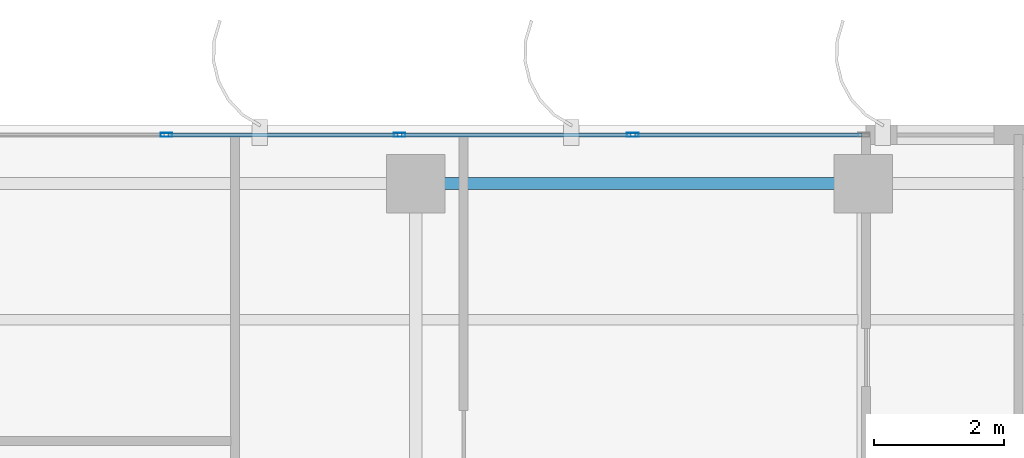
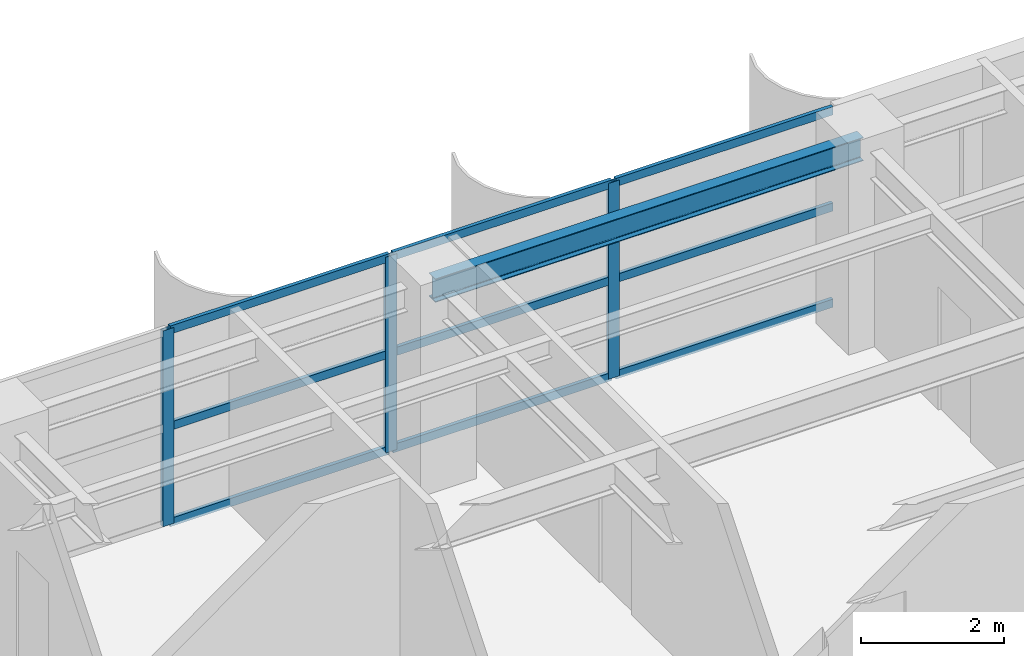
# One storey, part 16 of 25: 12 members, 1 beam, 1 element without a shape of its own.
"""IFC4 building model written with IfcOpenShell, lengths in metres."""

import ifcopenshell
import ifcopenshell.guid

model = None  # the IFC model being written
_history = None  # IfcOwnerHistory: only IFC2X3 demands one
_inside = {}  # id of a spatial element -> (the spatial element, [elements in it])
_under = {}  # id of a project, library or spatial element -> (it, [spatial elements below it])
_declared = {}  # id of a project -> (the project, [libraries it declares])
_typed = {}  # id of a type object -> (the type object, [elements of that type])
_made_of = {}  # id of a material, layer set ... -> (it, [elements and type objects made of it])


def new_model(schema):
    """Start an empty IFC model of exactly this schema.

    Asked for "IFC4X3", IfcOpenShell would pick the latest addendum, in which some entities
    have other attributes; the version numbers below select the first issue.
    IFC2X3 requires an IfcOwnerHistory on every rooted entity: one is made here for all.
    """
    global model, _history
    if schema == "IFC4X3":
        model = ifcopenshell.file(schema_version=(4, 3, 0, 0))
    else:
        model = ifcopenshell.file(schema=schema)
    _inside.clear()
    _under.clear()
    _declared.clear()
    _typed.clear()
    _made_of.clear()
    _history = None
    if model.schema == "IFC2X3":
        org = make("IfcOrganization", Name="unknown")
        user = make(
            "IfcPersonAndOrganization",
            ThePerson=make("IfcPerson", FamilyName="unknown"),
            TheOrganization=org,
        )
        app = make(
            "IfcApplication",
            ApplicationDeveloper=org,
            Version="unknown",
            ApplicationFullName="unknown",
            ApplicationIdentifier="unknown",
        )
        _history = make(
            "IfcOwnerHistory",
            OwningUser=user,
            OwningApplication=app,
            ChangeAction="ADDED",
            CreationDate=0,
        )
    return model


def make(cls, **values):
    """One entity of the class cls with the attributes given. An attribute that is None is left unset."""
    return model.create_entity(
        cls, **{name: value for name, value in values.items() if value is not None}
    )


def rooted(cls, **values):
    """An entity with a GlobalId (a new one), such as an element, a storey or a relation."""
    return make(cls, GlobalId=ifcopenshell.guid.new(), OwnerHistory=_history, **values)


def si_unit(unit_type, name, prefix=None):
    """IfcSIUnit, for example si_unit("LENGTHUNIT", "METRE", prefix="MILLI")."""
    return make("IfcSIUnit", UnitType=unit_type, Prefix=prefix, Name=name)


def assignment(units):
    """IfcUnitAssignment: the units of a project."""
    return None if units is None else make("IfcUnitAssignment", Units=units)


def point(xyz):
    """IfcCartesianPoint."""
    return None if xyz is None else make("IfcCartesianPoint", Coordinates=xyz)


def direction(xyz):
    """IfcDirection."""
    return None if xyz is None else make("IfcDirection", DirectionRatios=xyz)


def frame(location, z_axis=None, x_axis=None):
    """IfcAxis2Placement3D, a coordinate frame: its origin and axes. An axis left out is left unset."""
    return make(
        "IfcAxis2Placement3D",
        Location=point(location),
        Axis=direction(z_axis),
        RefDirection=direction(x_axis),
    )


def frame_2d(location, x_axis=None):
    """IfcAxis2Placement2D, a coordinate frame in the plane: its origin and x axis."""
    return make(
        "IfcAxis2Placement2D", Location=point(location), RefDirection=direction(x_axis)
    )


def origin():
    """The frame at (0, 0, 0) with its axes left unset."""
    return frame((0.0, 0.0, 0.0))


def origin_2d():
    """The frame at (0, 0) in the plane with its x axis left unset."""
    return frame_2d((0.0, 0.0))


def place(relative_to, where):
    """IfcLocalPlacement: puts the frame where relative to a parent placement (None: the world)."""
    return make(
        "IfcLocalPlacement", PlacementRelTo=relative_to, RelativePlacement=where
    )


def context(
    kind, dimensions, precision=None, world=None, true_north=None, identifier=None
):
    """IfcGeometricRepresentationContext, for example the 3D "Model" context."""
    return make(
        "IfcGeometricRepresentationContext",
        ContextIdentifier=identifier,
        ContextType=kind,
        CoordinateSpaceDimension=dimensions,
        Precision=precision,
        WorldCoordinateSystem=world,
        TrueNorth=true_north,
    )


def subcontext(parent, identifier, kind, view, scale=None):
    """IfcGeometricRepresentationSubContext, for example "Body" below "Model"."""
    return make(
        "IfcGeometricRepresentationSubContext",
        ContextIdentifier=identifier,
        ContextType=kind,
        ParentContext=parent,
        TargetScale=scale,
        TargetView=view,
    )


def project(units=None, contexts=None):
    """IfcProject with its units and contexts."""
    return rooted(
        "IfcProject",
        Name="project",
        RepresentationContexts=contexts,
        UnitsInContext=assignment(units),
    )


def spatial(cls, under=None, at=None, **own):
    """A site, building, storey or space (cls), placed at a placement, below another one or the project."""
    s = rooted(cls, ObjectPlacement=at, **own)
    if under is not None:
        _under.setdefault(under.id(), (under, []))[1].append(s)
    return s


def profile(cls, at=None, kind="AREA", **sizes):
    """A parametric profile (cls). Its sizes go by their IFC names, for example OverallWidth=200.0."""
    return make(cls, ProfileType=kind, Position=at, **sizes)


def hollow_rectangle(**sizes):
    """IfcRectangleHollowProfileDef."""
    return profile("IfcRectangleHollowProfileDef", **sizes)


def i_section(**sizes):
    """IfcIShapeProfileDef."""
    return profile("IfcIShapeProfileDef", **sizes)


def extrude(swept, where, along, depth):
    """IfcExtrudedAreaSolid: the profile swept, set in the frame where, extruded along a direction by depth."""
    return make(
        "IfcExtrudedAreaSolid",
        SweptArea=swept,
        Position=where,
        ExtrudedDirection=direction(along),
        Depth=depth,
    )


def shape(context_of_items, identifier, shape_type, items):
    """IfcShapeRepresentation: the items that make up one representation, for example the "Body"."""
    return make(
        "IfcShapeRepresentation",
        ContextOfItems=context_of_items,
        RepresentationIdentifier=identifier,
        RepresentationType=shape_type,
        Items=items,
    )


def source(mapping_origin, context_of_items, identifier, shape_type, items):
    """IfcRepresentationMap: a shape defined once, which mapped items show again and again."""
    return make(
        "IfcRepresentationMap",
        MappingOrigin=mapping_origin,
        MappedRepresentation=shape(context_of_items, identifier, shape_type, items),
    )


def transform(
    local_origin,
    x_axis=None,
    y_axis=None,
    z_axis=None,
    scale=None,
    scale2=None,
    scale3=None,
    uniform=True,
):
    """IfcCartesianTransformationOperator3D, or its non-uniform kind. x_axis, y_axis, z_axis: its Axis1, 2, 3."""
    if uniform:
        return make(
            "IfcCartesianTransformationOperator3D",
            Axis1=direction(x_axis),
            Axis2=direction(y_axis),
            LocalOrigin=point(local_origin),
            Scale=scale,
            Axis3=direction(z_axis),
        )
    return make(
        "IfcCartesianTransformationOperator3DnonUniform",
        Axis1=direction(x_axis),
        Axis2=direction(y_axis),
        LocalOrigin=point(local_origin),
        Scale=scale,
        Axis3=direction(z_axis),
        Scale2=scale2,
        Scale3=scale3,
    )


def mapped(mapping_source, mapping_target):
    """IfcMappedItem: shows the shape of a source again, moved by a transform."""
    return make(
        "IfcMappedItem", MappingSource=mapping_source, MappingTarget=mapping_target
    )


def material(Name=None, Category=None):
    """IfcMaterial."""
    return make("IfcMaterial", Name=Name, Category=Category)


def layer(
    of_material, thickness, ventilated=None, Name=None, Category=None, Priority=None
):
    """IfcMaterialLayer: one layer of a wall or slab, of a material (None: an air gap)."""
    return make(
        "IfcMaterialLayer",
        Material=of_material,
        LayerThickness=thickness,
        IsVentilated=ventilated,
        Name=Name,
        Category=Category,
        Priority=Priority,
    )


def layer_set(layers, Name=None):
    """IfcMaterialLayerSet."""
    return make("IfcMaterialLayerSet", MaterialLayers=layers, LayerSetName=Name)


def material_profile(
    of_material, cross_section, Name=None, Category=None, Priority=None
):
    """IfcMaterialProfile: a cross section and its material."""
    return make(
        "IfcMaterialProfile",
        Name=Name,
        Material=of_material,
        Profile=cross_section,
        Priority=Priority,
        Category=Category,
    )


def profile_set(profiles, Name=None, composite=None):
    """IfcMaterialProfileSet."""
    return make(
        "IfcMaterialProfileSet",
        Name=Name,
        MaterialProfiles=profiles,
        CompositeProfile=composite,
    )


def made_of(thing, what):
    """Note that an element or type object is made of a material, layer set ...; save() writes the relation."""
    if what is not None:
        _made_of.setdefault(what.id(), (what, []))[1].append(thing)
    return thing


def type_object(cls, material=None, **own):
    """A type object (cls), such as IfcWallType, which elements share."""
    return made_of(rooted(cls, **own), material)


def element(
    cls,
    number,
    at=None,
    inside=None,
    cuts=None,
    type_object=None,
    material=None,
    context=None,
    identifier="Body",
    shape_type=None,
    held_by="IfcProductDefinitionShape",
    body=None,
    shapes=None,
    **own,
):
    """One element of the class cls, such as IfcWall. Its Tag is "e" and its number.

    at: its placement. inside: the storey or other place that contains it. cuts: it is an
    opening in that element (IfcRelVoidsElement). A single representation is given by context,
    identifier, shape_type and body (its items); several are given by shapes. held_by: the class
    of the entity that holds the representations. save() writes the other relations.
    """
    e = rooted(cls, Tag="e%d" % number, ObjectPlacement=at, **own)
    if body is not None:
        shapes = [shape(context, identifier, shape_type, body)]
    if shapes is not None:
        e.Representation = make(held_by, Representations=shapes)
    if inside is not None:
        _inside.setdefault(inside.id(), (inside, []))[1].append(e)
    if cuts is not None:
        rooted(
            "IfcRelVoidsElement", RelatingBuildingElement=cuts, RelatedOpeningElement=e
        )
    if type_object is not None:
        _typed.setdefault(type_object.id(), (type_object, []))[1].append(e)
    return made_of(e, material)


def aggregate(whole, parts):
    """IfcRelAggregates: a whole, such as a stair, and the parts it consists of."""
    return rooted("IfcRelAggregates", RelatingObject=whole, RelatedObjects=parts)


def save(model, path):
    """Write the relations noted so far, then the file.

    IfcRelAggregates (storeys below a building ...), IfcRelContainedInSpatialStructure (elements
    in a storey), IfcRelDefinesByType, IfcRelAssociatesMaterial and IfcRelDeclares: one each for
    every whole, place, type object, material and project.
    """
    for whole, parts in _under.values():
        aggregate(whole, parts)
    for where, things in _inside.values():
        rooted(
            "IfcRelContainedInSpatialStructure",
            RelatedElements=things,
            RelatingStructure=where,
        )
    for kind, things in _typed.values():
        rooted("IfcRelDefinesByType", RelatedObjects=things, RelatingType=kind)
    for what, things in _made_of.values():
        rooted("IfcRelAssociatesMaterial", RelatedObjects=things, RelatingMaterial=what)
    for by, libraries in _declared.values():
        rooted("IfcRelDeclares", RelatingContext=by, RelatedDefinitions=libraries)
    model.write(path)


model = new_model("IFC4")

# Units and contexts
model_context = context("Model", 3, precision=1e-05, world=origin(), true_north=direction((0.0, 1.0)))
body_context = subcontext(model_context, "Body", "Model", "MODEL_VIEW")
ifc_project = project(units=[si_unit("LENGTHUNIT", "METRE"), si_unit("AREAUNIT", "SQUARE_METRE"), si_unit("VOLUMEUNIT", "CUBIC_METRE"), si_unit("PLANEANGLEUNIT", "RADIAN"), si_unit("MASSUNIT", "GRAM", prefix="KILO")], contexts=[model_context])

# Site, building, storey
site_placement = place(None, origin())
site = spatial("IfcSite", under=ifc_project, at=site_placement, CompositionType="ELEMENT")
building_placement = place(site_placement, origin())
building = spatial("IfcBuilding", under=site, at=building_placement, Name="Khoralis Quay Care Tower", CompositionType="ELEMENT")
storey_placement = place(building_placement, frame((0.0, 0.0, 166.5)))
storey = spatial("IfcBuildingStorey", under=building, at=storey_placement, Name="L43", CompositionType="ELEMENT", Elevation=166.5)

# Beam
ifc_material_1 = material(Name="Steel S355", Category="steel")
ifc_material_profile_1 = material_profile(ifc_material_1, i_section(OverallWidth=0.179931640625, OverallDepth=0.39990234375, WebThickness=0.008544921875, FlangeThickness=0.013427734375, FilletRadius=0.02099609375, at=origin_2d()), Name="Steel S355")
ifc_profile_set_1 = profile_set([ifc_material_profile_1], Name="Steel S355")
beam_type = type_object("IfcBeamType", Name="BM-IPE400", PredefinedType="SPANDREL", material=ifc_profile_set_1)
shared_shape_1 = source(origin(), body_context, "Body", "SweptSolid", [
    extrude(i_section(OverallWidth=0.179931640625, OverallDepth=0.39990234375, WebThickness=0.008544921875, FlangeThickness=0.013427734375, FilletRadius=0.02099609375, at=origin_2d()), origin(), (0.0, 0.0, 1.0), 6.89990234375),
])
beam_placement = place(storey_placement, frame((24.0, 41.10009765625, 3.139892578125), z_axis=(1.0, 0.0, 0.0), x_axis=(0.0, 1.0, 0.0)))
element("IfcBeam", 1, at=beam_placement, inside=storey, type_object=beam_type, Name="BM-TSP-L43-07", PredefinedType="SPANDREL", context=body_context, shape_type="MappedRepresentation", body=[
    mapped(shared_shape_1, transform((0.0, 0.0, 0.0), scale=1.0)),
])

# Curtain wall, members
ifc_material_2 = material(Name="Pale anodised aluminium", Category="aluminium")
ifc_layer = layer(ifc_material_2, 0.159912109375)
ifc_layer_set = layer_set([ifc_layer], Name="Pale anodised aluminium")
curtain_wall_type = type_object("IfcCurtainWallType", Name="CW-SYS-Z3", PredefinedType="NOTDEFINED", material=ifc_layer_set)
curtain_wall_placement = place(storey_placement, origin())
curtain_wall = element("IfcCurtainWall", 2, at=curtain_wall_placement, inside=storey, type_object=curtain_wall_type, Name="L43 Unitised Curtain Wall CW-L43-P1-E10", PredefinedType="NOTDEFINED")
ifc_material_profile_2 = material_profile(ifc_material_2, hollow_rectangle(XDim=0.06494140625, YDim=0.179931640625, WallThickness=0.00390625, at=origin_2d()), Name="Pale anodised aluminium")
ifc_profile_set_2 = profile_set([ifc_material_profile_2], Name="Pale anodised aluminium")
member_type_1 = type_object("IfcMemberType", Name="CW-MUL-180", PredefinedType="MULLION", material=ifc_profile_set_2)
shared_shape_2 = source(origin(), body_context, "Body", "SweptSolid", [
    extrude(hollow_rectangle(XDim=0.06494140625, YDim=0.179931640625, WallThickness=0.00390625, at=origin_2d()), origin(), (0.0, 0.0, 1.0), 3.340087890625),
])
member_1_placement = place(storey_placement, frame((27.3466796875, 41.85009765625, 0.0), z_axis=(0.0, 0.0, 1.0), x_axis=(0.0, -1.0, 0.0)))
member_1 = element("IfcMember", 3, at=member_1_placement, type_object=member_type_1, Name="CW3 mullion 2", PredefinedType="MULLION", context=body_context, shape_type="MappedRepresentation", body=[
    mapped(shared_shape_2, transform((0.0, 0.0, 0.0), scale=1.0)),
])
member_2_placement = place(storey_placement, frame((23.75341796875, 41.85009765625, 0.0), z_axis=(0.0, 0.0, 1.0), x_axis=(0.0, -1.0, 0.0)))
member_2 = element("IfcMember", 4, at=member_2_placement, type_object=member_type_1, Name="CW3 mullion 3", PredefinedType="MULLION", context=body_context, shape_type="MappedRepresentation", body=[
    mapped(shared_shape_2, transform((0.0, 0.0, 0.0), scale=1.0)),
])
member_3_placement = place(storey_placement, frame((20.16015625, 41.85009765625, 0.0), z_axis=(0.0, 0.0, 1.0), x_axis=(0.0, -1.0, 0.0)))
member_3 = element("IfcMember", 5, at=member_3_placement, type_object=member_type_1, Name="CW3 mullion 4", PredefinedType="MULLION", context=body_context, shape_type="MappedRepresentation", body=[
    mapped(shared_shape_2, transform((0.0, 0.0, 0.0), scale=1.0)),
])
ifc_material_profile_3 = material_profile(ifc_material_2, hollow_rectangle(XDim=0.06005859375, YDim=0.139892578125, WallThickness=0.00390625, at=origin_2d()), Name="Pale anodised aluminium")
ifc_profile_set_3 = profile_set([ifc_material_profile_3], Name="Pale anodised aluminium")
member_type_2 = type_object("IfcMemberType", Name="CW-TRN-140", PredefinedType="USERDEFINED", material=ifc_profile_set_3)
shared_shape_3 = source(origin(), body_context, "Body", "SweptSolid", [
    extrude(hollow_rectangle(XDim=0.06005859375, YDim=0.139892578125, WallThickness=0.00390625, at=origin_2d()), origin(), (0.0, 0.0, 1.0), 3.503173828125),
])
member_4_placement = place(storey_placement, frame((30.8798828125, 41.85009765625, 0.030029296875), z_axis=(-1.0, 0.0, 0.0), x_axis=(0.0, -1.0, 0.0)))
member_4 = element("IfcMember", 6, at=member_4_placement, type_object=member_type_2, Name="CW3 transom 1.1", ObjectType="TRANSOM", PredefinedType="USERDEFINED", context=body_context, shape_type="MappedRepresentation", body=[
    mapped(shared_shape_3, transform((0.0, 0.0, 0.0), scale=1.0)),
])
member_5_placement = place(storey_placement, frame((30.8798828125, 41.85009765625, 1.669921875), z_axis=(-1.0, 0.0, 0.0), x_axis=(0.0, -1.0, 0.0)))
member_5 = element("IfcMember", 7, at=member_5_placement, type_object=member_type_2, Name="CW3 transom 1.2", ObjectType="TRANSOM", PredefinedType="USERDEFINED", context=body_context, shape_type="MappedRepresentation", body=[
    mapped(shared_shape_3, transform((0.0, 0.0, 0.0), scale=1.0)),
])
member_6_placement = place(storey_placement, frame((30.8798828125, 41.85009765625, 3.31005859375), z_axis=(-1.0, 0.0, 0.0), x_axis=(0.0, -1.0, 0.0)))
member_6 = element("IfcMember", 8, at=member_6_placement, type_object=member_type_2, Name="CW3 transom 1.3", ObjectType="TRANSOM", PredefinedType="USERDEFINED", context=body_context, shape_type="MappedRepresentation", body=[
    mapped(shared_shape_3, transform((0.0, 0.0, 0.0), scale=1.0)),
])
shared_shape_4 = source(origin(), body_context, "Body", "SweptSolid", [
    extrude(hollow_rectangle(XDim=0.06005859375, YDim=0.139892578125, WallThickness=0.00390625, at=origin_2d()), origin(), (0.0, 0.0, 1.0), 3.533203125),
])
member_7_placement = place(storey_placement, frame((27.316650390625, 41.85009765625, 0.030029296875), z_axis=(-1.0, 0.0, 0.0), x_axis=(0.0, -1.0, 0.0)))
member_7 = element("IfcMember", 9, at=member_7_placement, type_object=member_type_2, Name="CW3 transom 2.1", ObjectType="TRANSOM", PredefinedType="USERDEFINED", context=body_context, shape_type="MappedRepresentation", body=[
    mapped(shared_shape_4, transform((0.0, 0.0, 0.0), scale=1.0)),
])
member_8_placement = place(storey_placement, frame((27.316650390625, 41.85009765625, 1.669921875), z_axis=(-1.0, 0.0, 0.0), x_axis=(0.0, -1.0, 0.0)))
member_8 = element("IfcMember", 10, at=member_8_placement, type_object=member_type_2, Name="CW3 transom 2.2", ObjectType="TRANSOM", PredefinedType="USERDEFINED", context=body_context, shape_type="MappedRepresentation", body=[
    mapped(shared_shape_4, transform((0.0, 0.0, 0.0), scale=1.0)),
])
member_9_placement = place(storey_placement, frame((27.316650390625, 41.85009765625, 3.31005859375), z_axis=(-1.0, 0.0, 0.0), x_axis=(0.0, -1.0, 0.0)))
member_9 = element("IfcMember", 11, at=member_9_placement, type_object=member_type_2, Name="CW3 transom 2.3", ObjectType="TRANSOM", PredefinedType="USERDEFINED", context=body_context, shape_type="MappedRepresentation", body=[
    mapped(shared_shape_4, transform((0.0, 0.0, 0.0), scale=1.0)),
])
member_10_placement = place(storey_placement, frame((23.723388671875, 41.85009765625, 0.030029296875), z_axis=(-1.0, 0.0, 0.0), x_axis=(0.0, -1.0, 0.0)))
member_10 = element("IfcMember", 12, at=member_10_placement, type_object=member_type_2, Name="CW3 transom 3.1", ObjectType="TRANSOM", PredefinedType="USERDEFINED", context=body_context, shape_type="MappedRepresentation", body=[
    mapped(shared_shape_4, transform((0.0, 0.0, 0.0), scale=1.0)),
])
member_11_placement = place(storey_placement, frame((23.723388671875, 41.85009765625, 1.669921875), z_axis=(-1.0, 0.0, 0.0), x_axis=(0.0, -1.0, 0.0)))
member_11 = element("IfcMember", 13, at=member_11_placement, type_object=member_type_2, Name="CW3 transom 3.2", ObjectType="TRANSOM", PredefinedType="USERDEFINED", context=body_context, shape_type="MappedRepresentation", body=[
    mapped(shared_shape_4, transform((0.0, 0.0, 0.0), scale=1.0)),
])
member_12_placement = place(storey_placement, frame((23.723388671875, 41.85009765625, 3.31005859375), z_axis=(-1.0, 0.0, 0.0), x_axis=(0.0, -1.0, 0.0)))
member_12 = element("IfcMember", 14, at=member_12_placement, type_object=member_type_2, Name="CW3 transom 3.3", ObjectType="TRANSOM", PredefinedType="USERDEFINED", context=body_context, shape_type="MappedRepresentation", body=[
    mapped(shared_shape_4, transform((0.0, 0.0, 0.0), scale=1.0)),
])
aggregate(curtain_wall, [member_1, member_2, member_3, member_4, member_5, member_6, member_7, member_8, member_9, member_10, member_11, member_12])

save(model, "model.ifc")
